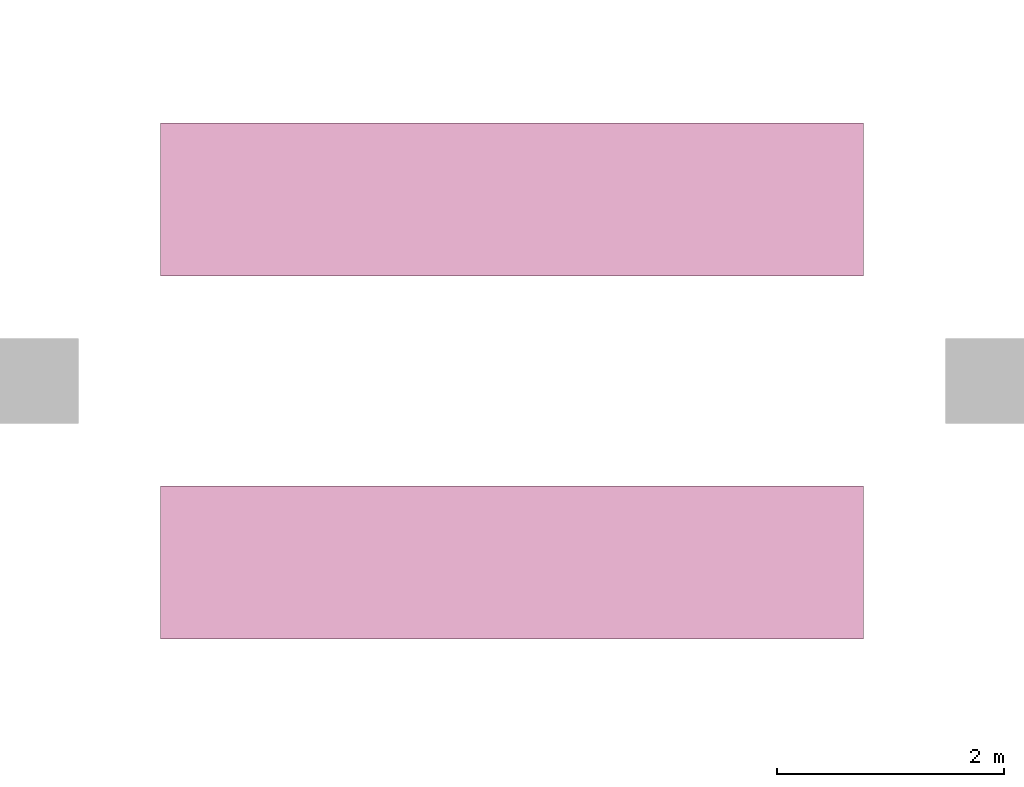
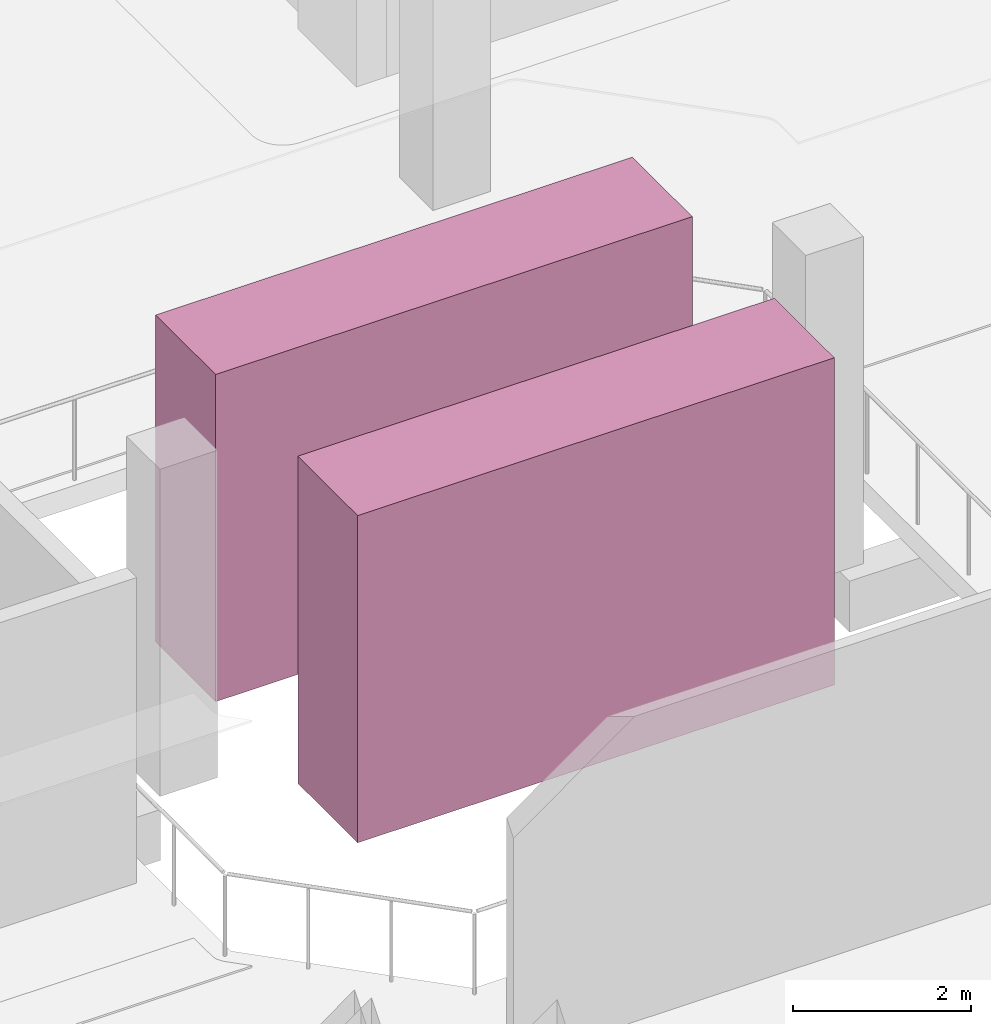
# One storey, part 114 of 114: 2 transport elements.
"""IFC4 building model written with IfcOpenShell, lengths in metres."""

from ifc_helpers import new_model, si_unit, direction, frame, origin, origin_2d, place, context, subcontext, project, spatial, rectangle, extrude, material, type_object, element, save


model = new_model("IFC4")

# Units and contexts
model_context = context("Model", 3, precision=1e-05, world=origin(), true_north=direction((0.0, 1.0)))
body_context = subcontext(model_context, "Body", "Model", "MODEL_VIEW")
ifc_project = project(units=[si_unit("LENGTHUNIT", "METRE"), si_unit("AREAUNIT", "SQUARE_METRE"), si_unit("VOLUMEUNIT", "CUBIC_METRE"), si_unit("PLANEANGLEUNIT", "RADIAN"), si_unit("MASSUNIT", "GRAM", prefix="KILO")], contexts=[model_context])

# Site, building, storey
site_placement = place(None, origin())
site = spatial("IfcSite", under=ifc_project, at=site_placement, CompositionType="ELEMENT")
building_placement = place(site_placement, origin())
building = spatial("IfcBuilding", under=site, at=building_placement, Name="Xazarin Passage Department Store", CompositionType="ELEMENT")
storey_placement = place(building_placement, frame((0.0, 0.0, 14.39990234375)))
storey = spatial("IfcBuildingStorey", under=building, at=storey_placement, Name="L03", CompositionType="ELEMENT", Elevation=14.39990234375)

# Transport elements
ifc_material = material(Name="Steel S355", Category="steel")
transport_element_type = type_object("IfcTransportElementType", Name="ARC-TR-ESC1000", PredefinedType="ESCALATOR", material=ifc_material)
for number, where, z_axis, x_axis, name in (
    (1, (21.0, 91.60009765625, 0.0), (0.0, 0.0, 1.0), (1.0, 0.0, 0.0), "L03 Escalator ES07"),
    (2, (21.0, 94.800048828125, 0.0), (0.0, 0.0, 1.0), (1.0, 0.0, 0.0), "L03 Escalator ES08"),
):
    element("IfcTransportElement", number, at=place(storey_placement, frame(where, z_axis=z_axis, x_axis=x_axis)), inside=storey, type_object=transport_element_type, Name=name, PredefinedType="ESCALATOR", context=body_context, shape_type="SweptSolid", body=[
        extrude(rectangle(XDim=6.199951171875, YDim=1.35009765625, at=origin_2d()), origin(), (0.0, 0.0, 1.0), 4.5),
    ])

save(model, "model.ifc")
